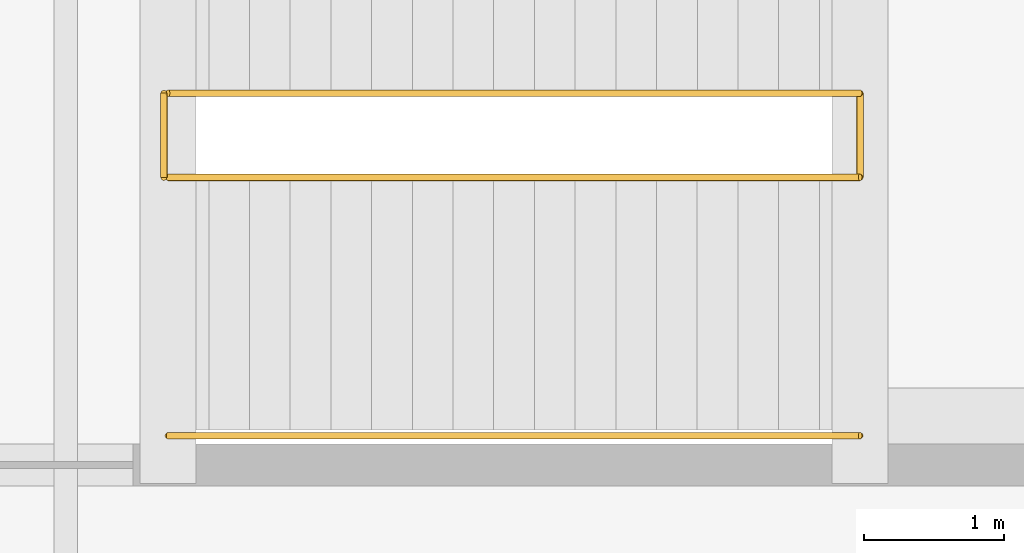
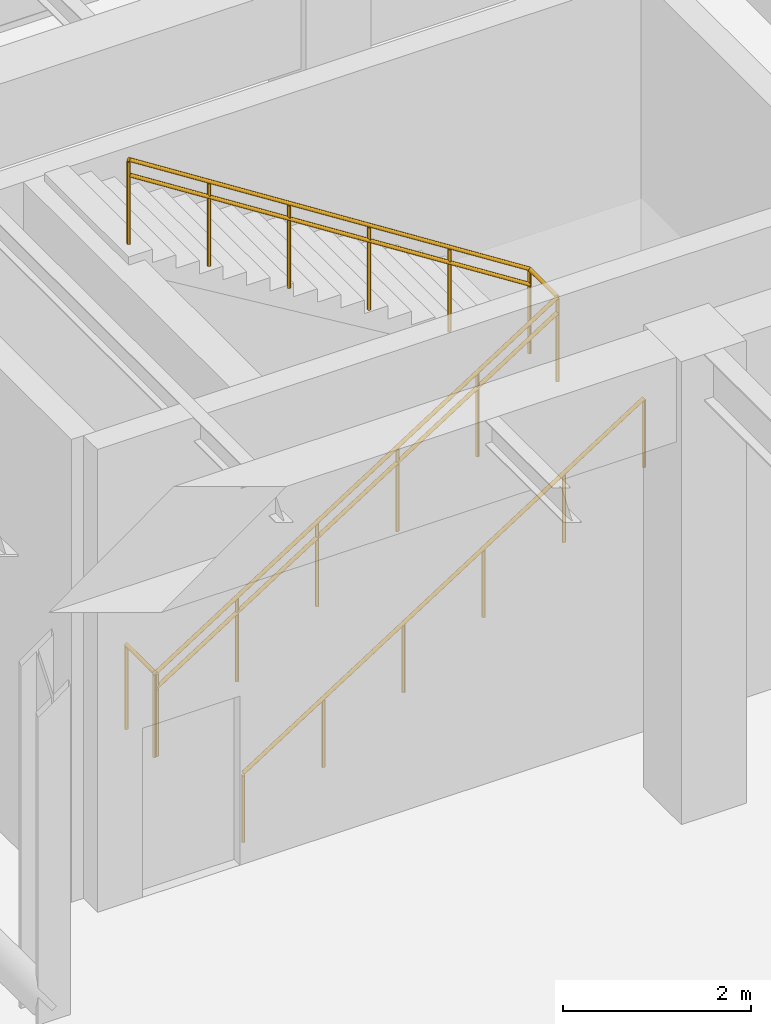
# One storey, part 49 of 51: 6 railings.
"""IFC4 building model written with IfcOpenShell, lengths in metres."""

from ifc_helpers import new_model, si_unit, direction, frame, origin, origin_2d, place, context, subcontext, project, spatial, circle, extrude, material, type_object, element, save


model = new_model("IFC4")

# Units and contexts
model_context = context("Model", 3, precision=1e-05, world=origin(), true_north=direction((0.0, 1.0)))
body_context = subcontext(model_context, "Body", "Model", "MODEL_VIEW")
ifc_project = project(units=[si_unit("LENGTHUNIT", "METRE"), si_unit("AREAUNIT", "SQUARE_METRE"), si_unit("VOLUMEUNIT", "CUBIC_METRE"), si_unit("PLANEANGLEUNIT", "RADIAN"), si_unit("MASSUNIT", "GRAM", prefix="KILO")], contexts=[model_context])

# Site, building, storey
site_placement = place(None, origin())
site = spatial("IfcSite", under=ifc_project, at=site_placement, CompositionType="ELEMENT")
building_placement = place(site_placement, origin())
building = spatial("IfcBuilding", under=site, at=building_placement, Name="Varnela Railside Interchange", CompositionType="ELEMENT")
storey_placement = place(building_placement, origin())
storey = spatial("IfcBuildingStorey", under=building, at=storey_placement, Name="L00", CompositionType="ELEMENT", Elevation=0.0)

# Railings
ifc_material = material(Name="Steel AR 350 (350 MPa)", Category="steel")
railing_type_1 = type_object("IfcRailingType", Name="Stair & Ramp Pitch Handrail HR-01", PredefinedType="HANDRAIL", material=ifc_material)
railing_1_placement = place(storey_placement, frame((39.39990234375, 81.5, 0.0)))
element("IfcRailing", 1, at=railing_1_placement, inside=storey, type_object=railing_type_1, Name="Stair Handrail ST-W1 Flight 1 (RL-0240)", PredefinedType="HANDRAIL", context=body_context, shape_type="SweptSolid", body=[
    extrude(circle(Radius=0.02392578125, at=origin_2d()), frame((0.0, 0.0, 0.89599609375), z_axis=(0.842691000677, 0.0, 0.538397508703), x_axis=(0.0, 1.0, 0.0)), (0.0, 0.0, 1.0), 5.8505859375),
    extrude(circle(Radius=0.02099609375, at=origin_2d()), origin(), (0.0, 0.0, 1.0), 0.871826171875),
    extrude(circle(Radius=0.02099609375, at=origin_2d()), frame((0.986083984375, 0.0, 0.6298828125)), (0.0, 0.0, 1.0), 0.871826171875),
    extrude(circle(Radius=0.02099609375, at=origin_2d()), frame((1.97216796875, 0.0, 1.260009765625)), (0.0, 0.0, 1.0), 0.871826171875),
    extrude(circle(Radius=0.02099609375, at=origin_2d()), frame((2.9580078125, 0.0, 1.889892578125)), (0.0, 0.0, 1.0), 0.871826171875),
    extrude(circle(Radius=0.02099609375, at=origin_2d()), frame((3.944091796875, 0.0, 2.52001953125)), (0.0, 0.0, 1.0), 0.871826171875),
    extrude(circle(Radius=0.02099609375, at=origin_2d()), frame((4.93017578125, 0.0, 3.14990234375)), (0.0, 0.0, 1.0), 0.871826171875),
])
railing_2_placement = place(storey_placement, frame((44.330078125, 82.10009765625, 3.14990234375)))
element("IfcRailing", 2, at=railing_2_placement, inside=storey, type_object=railing_type_1, Name="Stair Handrail ST-W1 Flight 2 (RL-0241)", PredefinedType="HANDRAIL", context=body_context, shape_type="SweptSolid", body=[
    extrude(circle(Radius=0.02392578125, at=origin_2d()), frame((0.0, 0.0, 0.89599609375), z_axis=(-0.84267206767, 0.0, 0.538427141188), x_axis=(0.0, -1.0, 0.0)), (0.0, 0.0, 1.0), 5.8505859375),
    extrude(circle(Radius=0.02099609375, at=origin_2d()), origin(), (0.0, 0.0, 1.0), 0.871826171875),
    extrude(circle(Radius=0.02099609375, at=origin_2d()), frame((-0.986083984375, 0.0, 0.630126953125)), (0.0, 0.0, 1.0), 0.871826171875),
    extrude(circle(Radius=0.02099609375, at=origin_2d()), frame((-1.97216796875, 0.0, 1.260009765625)), (0.0, 0.0, 1.0), 0.871826171875),
    extrude(circle(Radius=0.02099609375, at=origin_2d()), frame((-2.9580078125, 0.0, 1.89013671875)), (0.0, 0.0, 1.0), 0.871826171875),
    extrude(circle(Radius=0.02099609375, at=origin_2d()), frame((-3.944091796875, 0.0, 2.52001953125)), (0.0, 0.0, 1.0), 0.871826171875),
    extrude(circle(Radius=0.02099609375, at=origin_2d()), frame((-4.93017578125, 0.0, 3.150146484375)), (0.0, 0.0, 1.0), 0.871826171875),
])
railing_type_2 = type_object("IfcRailingType", Name="Stair Well & Landing Guard GR-02", PredefinedType="GUARDRAIL", material=ifc_material)
railing_3_placement = place(storey_placement, frame((39.3701171875, 81.5, 0.0)))
element("IfcRailing", 3, at=railing_3_placement, inside=storey, type_object=railing_type_2, Name="Stair Well Slot Guard ST-W1 on L00 (RL-0212)", PredefinedType="GUARDRAIL", context=body_context, shape_type="SweptSolid", body=[
    extrude(circle(Radius=0.02392578125, at=origin_2d()), frame((0.0, 0.0, 1.09619140625), z_axis=(0.0, 1.0, 0.0), x_axis=(-1.0, 0.0, 0.0)), (0.0, 0.0, 1.0), 0.60009765625),
    extrude(circle(Radius=0.02099609375, at=origin_2d()), origin(), (0.0, 0.0, 1.0), 1.072021484375),
    extrude(circle(Radius=0.02099609375, at=origin_2d()), frame((0.0, 0.60009765625, 0.0)), (0.0, 0.0, 1.0), 1.072021484375),
])
railing_4_placement = place(storey_placement, frame((39.39990234375, 81.5, 0.0)))
element("IfcRailing", 4, at=railing_4_placement, inside=storey, type_object=railing_type_2, Name="Stair Guard ST-W1 Half-Landing (RL-0210)", PredefinedType="GUARDRAIL", context=body_context, shape_type="SweptSolid", body=[
    extrude(circle(Radius=0.02392578125, at=origin_2d()), frame((0.0, 0.0, 1.09619140625), z_axis=(0.842691000677, 0.0, 0.538397508703), x_axis=(0.0, 1.0, 0.0)), (0.0, 0.0, 1.0), 5.8505859375),
    extrude(circle(Radius=0.02392578125, at=origin_2d()), frame((4.93017578125, 0.0, 4.24609375), z_axis=(0.0, 1.0, 0.0), x_axis=(-1.0, 0.0, 0.0)), (0.0, 0.0, 1.0), 0.60009765625),
    extrude(circle(Radius=0.02099609375, at=origin_2d()), origin(), (0.0, 0.0, 1.0), 1.072021484375),
    extrude(circle(Radius=0.02099609375, at=origin_2d()), frame((0.986083984375, 0.0, 0.6298828125)), (0.0, 0.0, 1.0), 1.072021484375),
    extrude(circle(Radius=0.02099609375, at=origin_2d()), frame((1.97216796875, 0.0, 1.260009765625)), (0.0, 0.0, 1.0), 1.072021484375),
    extrude(circle(Radius=0.02099609375, at=origin_2d()), frame((2.9580078125, 0.0, 1.889892578125)), (0.0, 0.0, 1.0), 1.072021484375),
    extrude(circle(Radius=0.02099609375, at=origin_2d()), frame((3.944091796875, 0.0, 2.52001953125)), (0.0, 0.0, 1.0), 1.072021484375),
    extrude(circle(Radius=0.02099609375, at=origin_2d()), frame((4.93017578125, 0.0, 3.14990234375)), (0.0, 0.0, 1.0), 1.072021484375),
    extrude(circle(Radius=0.02099609375, at=origin_2d()), frame((4.93017578125, 0.60009765625, 3.14990234375)), (0.0, 0.0, 1.0), 1.072021484375),
])
railing_5_placement = place(storey_placement, frame((44.330078125, 82.10009765625, 3.14990234375)))
element("IfcRailing", 5, at=railing_5_placement, inside=storey, type_object=railing_type_2, Name="Stair Guard ST-W1 Upper Flight (RL-0211)", PredefinedType="GUARDRAIL", context=body_context, shape_type="SweptSolid", body=[
    extrude(circle(Radius=0.02392578125, at=origin_2d()), frame((0.0, 0.0, 1.09619140625), z_axis=(-0.84267206767, 0.0, 0.538427141188), x_axis=(0.0, -1.0, 0.0)), (0.0, 0.0, 1.0), 5.8505859375),
    extrude(circle(Radius=0.02099609375, at=origin_2d()), origin(), (0.0, 0.0, 1.0), 1.072021484375),
    extrude(circle(Radius=0.02099609375, at=origin_2d()), frame((-0.986083984375, 0.0, 0.630126953125)), (0.0, 0.0, 1.0), 1.072021484375),
    extrude(circle(Radius=0.02099609375, at=origin_2d()), frame((-1.97216796875, 0.0, 1.260009765625)), (0.0, 0.0, 1.0), 1.072021484375),
    extrude(circle(Radius=0.02099609375, at=origin_2d()), frame((-2.9580078125, 0.0, 1.89013671875)), (0.0, 0.0, 1.0), 1.072021484375),
    extrude(circle(Radius=0.02099609375, at=origin_2d()), frame((-3.944091796875, 0.0, 2.52001953125)), (0.0, 0.0, 1.0), 1.072021484375),
    extrude(circle(Radius=0.02099609375, at=origin_2d()), frame((-4.93017578125, 0.0, 3.150146484375)), (0.0, 0.0, 1.0), 1.072021484375),
])
railing_type_3 = type_object("IfcRailingType", Name="Wall-Mounted Stair Handrail HR-02", PredefinedType="HANDRAIL", material=ifc_material)
railing_6_placement = place(storey_placement, frame((39.39990234375, 79.659912109375, 0.0)))
element("IfcRailing", 6, at=railing_6_placement, inside=storey, type_object=railing_type_3, Name="Wall Handrail ST-W1 Flight 1 (RL-0258)", PredefinedType="HANDRAIL", context=body_context, shape_type="SweptSolid", body=[
    extrude(circle(Radius=0.02392578125, at=origin_2d()), frame((0.0, 0.0, 0.89599609375), z_axis=(0.842691000677, 0.0, 0.538397508703), x_axis=(0.0, 1.0, 0.0)), (0.0, 0.0, 1.0), 5.8505859375),
    extrude(circle(Radius=0.02099609375, at=origin_2d()), origin(), (0.0, 0.0, 1.0), 0.871826171875),
    extrude(circle(Radius=0.02099609375, at=origin_2d()), frame((0.986083984375, 0.0, 0.6298828125)), (0.0, 0.0, 1.0), 0.871826171875),
    extrude(circle(Radius=0.02099609375, at=origin_2d()), frame((1.97216796875, 0.0, 1.260009765625)), (0.0, 0.0, 1.0), 0.871826171875),
    extrude(circle(Radius=0.02099609375, at=origin_2d()), frame((2.9580078125, 0.0, 1.889892578125)), (0.0, 0.0, 1.0), 0.871826171875),
    extrude(circle(Radius=0.02099609375, at=origin_2d()), frame((3.944091796875, 0.0, 2.52001953125)), (0.0, 0.0, 1.0), 0.871826171875),
    extrude(circle(Radius=0.02099609375, at=origin_2d()), frame((4.93017578125, 0.0, 3.14990234375)), (0.0, 0.0, 1.0), 0.871826171875),
])

save(model, "model.ifc")
